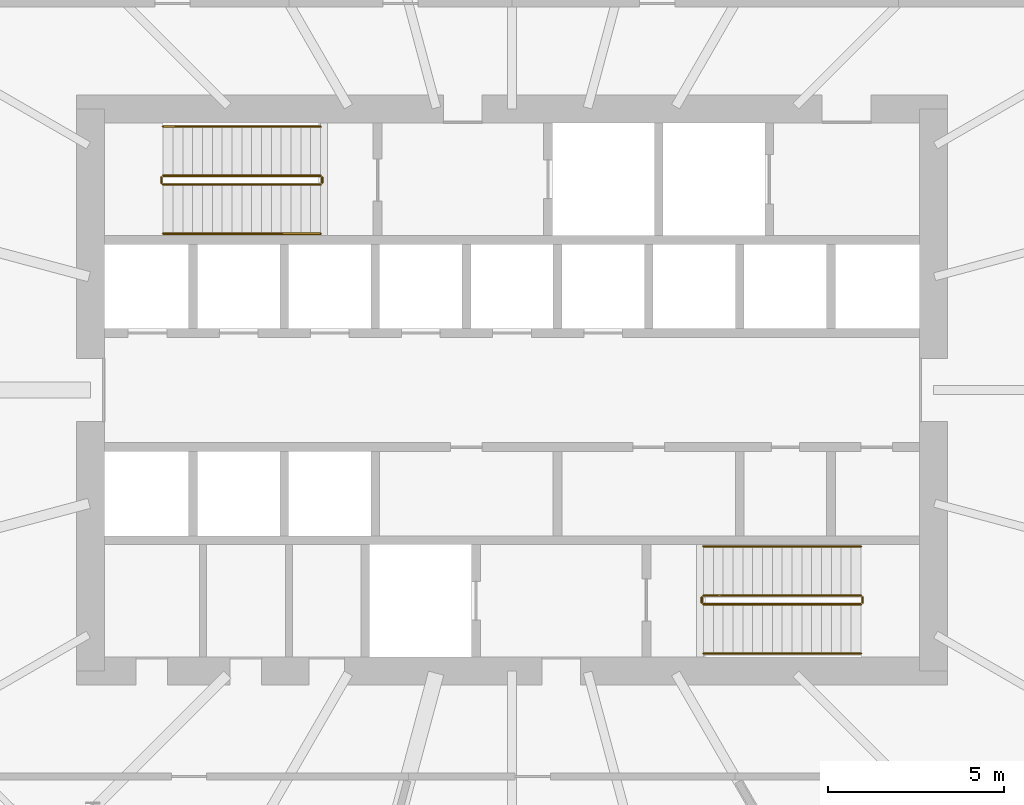
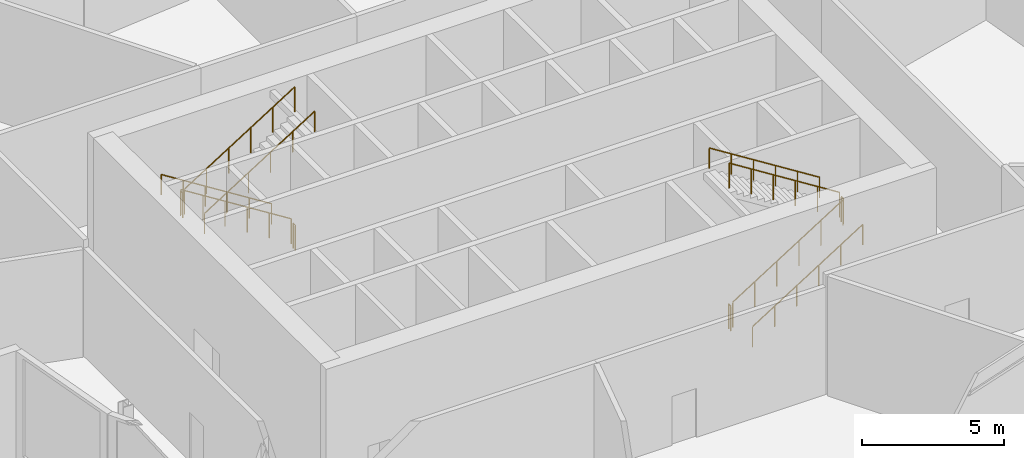
# One storey, part 32 of 33: 12 railings.
"""IFC4 building model written with IfcOpenShell, lengths in metres."""

from ifc_helpers import new_model, si_unit, direction, frame, origin, origin_2d, place, context, subcontext, project, spatial, circle, extrude, material, type_object, element, save


model = new_model("IFC4")

# Units and contexts
model_context = context("Model", 3, precision=1e-05, world=origin(), true_north=direction((0.0, 1.0)))
body_context = subcontext(model_context, "Body", "Model", "MODEL_VIEW")
ifc_project = project(units=[si_unit("LENGTHUNIT", "METRE"), si_unit("AREAUNIT", "SQUARE_METRE"), si_unit("VOLUMEUNIT", "CUBIC_METRE"), si_unit("PLANEANGLEUNIT", "RADIAN"), si_unit("MASSUNIT", "GRAM", prefix="KILO")], contexts=[model_context])

# Site, building, storey
site_placement = place(None, origin())
site = spatial("IfcSite", under=ifc_project, at=site_placement, CompositionType="ELEMENT")
building_placement = place(site_placement, origin())
building = spatial("IfcBuilding", under=site, at=building_placement, Name="Rimbun Link Towers", CompositionType="ELEMENT")
storey_placement = place(building_placement, frame((0.0, 0.0, 75.60009765625)))
storey = spatial("IfcBuildingStorey", under=building, at=storey_placement, Name="L18", CompositionType="ELEMENT", Elevation=75.60009765625)

# Railings
ifc_material_1 = material(Name="Stainless steel grade 316", Category="steel")
railing_type_1 = type_object("IfcRailingType", Name="Stair guard", PredefinedType="GUARDRAIL", material=ifc_material_1)
railing_1_placement = place(storey_placement, frame((-37.199951171875, 6.10009765625, 0.17626953125)))
element("IfcRailing", 1, at=railing_1_placement, inside=storey, type_object=railing_type_1, Name="L18 ST1 stair guard 1", PredefinedType="GUARDRAIL", context=body_context, shape_type="SweptSolid", body=[
    extrude(circle(Radius=0.02392578125, at=origin_2d()), frame((0.0, 0.0, 1.076171875), z_axis=(-0.845977142166, 0.0, 0.533219162196), x_axis=(0.0, -1.0, 0.0)), (0.0, 0.0, 1.0), 5.295654296875),
    extrude(circle(Radius=0.02099609375, at=origin_2d()), origin(), (0.0, 0.0, 1.0), 1.052001953125),
    extrude(circle(Radius=0.02099609375, at=origin_2d()), frame((-0.89599609375, 0.0, 0.564697265625)), (0.0, 0.0, 1.0), 1.052001953125),
    extrude(circle(Radius=0.02099609375, at=origin_2d()), frame((-1.7919921875, 0.0, 1.12939453125)), (0.0, 0.0, 1.0), 1.052001953125),
    extrude(circle(Radius=0.02099609375, at=origin_2d()), frame((-2.68798828125, 0.0, 1.6943359375)), (0.0, 0.0, 1.0), 1.052001953125),
    extrude(circle(Radius=0.02099609375, at=origin_2d()), frame((-3.583984375, 0.0, 2.259033203125)), (0.0, 0.0, 1.0), 1.052001953125),
    extrude(circle(Radius=0.02099609375, at=origin_2d()), frame((-4.47998046875, 0.0, 2.82373046875)), (0.0, 0.0, 1.0), 1.052001953125),
])
railing_2_placement = place(storey_placement, frame((-41.72998046875, 6.050048828125, 3.0)))
element("IfcRailing", 2, at=railing_2_placement, inside=storey, type_object=railing_type_1, Name="L18 ST1 stair guard 2", PredefinedType="GUARDRAIL", context=body_context, shape_type="SweptSolid", body=[
    extrude(circle(Radius=0.02392578125, at=origin_2d()), frame((0.0, 0.0, 1.076171875), z_axis=(0.0, -1.0, 0.0), x_axis=(1.0, 0.0, 0.0)), (0.0, 0.0, 1.0), 0.150146484375),
    extrude(circle(Radius=0.02099609375, at=origin_2d()), origin(), (0.0, 0.0, 1.0), 1.052001953125),
    extrude(circle(Radius=0.02099609375, at=origin_2d()), frame((0.0, -0.150146484375, 0.0)), (0.0, 0.0, 1.0), 1.052001953125),
])
railing_3_placement = place(storey_placement, frame((-41.679931640625, 5.85009765625, 3.17626953125)))
element("IfcRailing", 3, at=railing_3_placement, inside=storey, type_object=railing_type_1, Name="L18 ST1 stair guard 3", PredefinedType="GUARDRAIL", context=body_context, shape_type="SweptSolid", body=[
    extrude(circle(Radius=0.02392578125, at=origin_2d()), frame((0.0, 0.0, 1.076171875), z_axis=(0.845977142166, 0.0, 0.533219162196), x_axis=(0.0, 1.0, 0.0)), (0.0, 0.0, 1.0), 5.295654296875),
    extrude(circle(Radius=0.02099609375, at=origin_2d()), origin(), (0.0, 0.0, 1.0), 1.052001953125),
    extrude(circle(Radius=0.02099609375, at=origin_2d()), frame((0.89599609375, 0.0, 0.564697265625)), (0.0, 0.0, 1.0), 1.052001953125),
    extrude(circle(Radius=0.02099609375, at=origin_2d()), frame((1.7919921875, 0.0, 1.12939453125)), (0.0, 0.0, 1.0), 1.052001953125),
    extrude(circle(Radius=0.02099609375, at=origin_2d()), frame((2.68798828125, 0.0, 1.6943359375)), (0.0, 0.0, 1.0), 1.052001953125),
    extrude(circle(Radius=0.02099609375, at=origin_2d()), frame((3.583984375, 0.0, 2.259033203125)), (0.0, 0.0, 1.0), 1.052001953125),
    extrude(circle(Radius=0.02099609375, at=origin_2d()), frame((4.47998046875, 0.0, 2.82373046875)), (0.0, 0.0, 1.0), 1.052001953125),
])
railing_4_placement = place(storey_placement, frame((-37.14990234375, 6.050048828125, 0.0)))
element("IfcRailing", 4, at=railing_4_placement, inside=storey, type_object=railing_type_1, Name="L18 ST1 stair guard 4", PredefinedType="GUARDRAIL", context=body_context, shape_type="SweptSolid", body=[
    extrude(circle(Radius=0.02392578125, at=origin_2d()), frame((0.0, 0.0, 1.076171875), z_axis=(0.0, -1.0, 0.0), x_axis=(1.0, 0.0, 0.0)), (0.0, 0.0, 1.0), 0.150146484375),
    extrude(circle(Radius=0.02099609375, at=origin_2d()), origin(), (0.0, 0.0, 1.0), 1.052001953125),
    extrude(circle(Radius=0.02099609375, at=origin_2d()), frame((0.0, -0.150146484375, 0.0)), (0.0, 0.0, 1.0), 1.052001953125),
])
railing_5_placement = place(storey_placement, frame((-26.300048828125, -6.10009765625, 0.17626953125)))
element("IfcRailing", 5, at=railing_5_placement, inside=storey, type_object=railing_type_1, Name="L18 ST2 stair guard 1", PredefinedType="GUARDRAIL", context=body_context, shape_type="SweptSolid", body=[
    extrude(circle(Radius=0.02392578125, at=origin_2d()), frame((0.0, 0.0, 1.076171875), z_axis=(0.845977142166, 0.0, 0.533219162196), x_axis=(0.0, 1.0, 0.0)), (0.0, 0.0, 1.0), 5.295654296875),
    extrude(circle(Radius=0.02099609375, at=origin_2d()), origin(), (0.0, 0.0, 1.0), 1.052001953125),
    extrude(circle(Radius=0.02099609375, at=origin_2d()), frame((0.89599609375, 0.0, 0.564697265625)), (0.0, 0.0, 1.0), 1.052001953125),
    extrude(circle(Radius=0.02099609375, at=origin_2d()), frame((1.7919921875, 0.0, 1.12939453125)), (0.0, 0.0, 1.0), 1.052001953125),
    extrude(circle(Radius=0.02099609375, at=origin_2d()), frame((2.68798828125, 0.0, 1.6943359375)), (0.0, 0.0, 1.0), 1.052001953125),
    extrude(circle(Radius=0.02099609375, at=origin_2d()), frame((3.583984375, 0.0, 2.259033203125)), (0.0, 0.0, 1.0), 1.052001953125),
    extrude(circle(Radius=0.02099609375, at=origin_2d()), frame((4.47998046875, 0.0, 2.82373046875)), (0.0, 0.0, 1.0), 1.052001953125),
])
railing_6_placement = place(storey_placement, frame((-21.77001953125, -6.050048828125, 3.0)))
element("IfcRailing", 6, at=railing_6_placement, inside=storey, type_object=railing_type_1, Name="L18 ST2 stair guard 2", PredefinedType="GUARDRAIL", context=body_context, shape_type="SweptSolid", body=[
    extrude(circle(Radius=0.02392578125, at=origin_2d()), frame((0.0, 0.0, 1.076171875), z_axis=(0.0, 1.0, 0.0), x_axis=(-1.0, 0.0, 0.0)), (0.0, 0.0, 1.0), 0.150146484375),
    extrude(circle(Radius=0.02099609375, at=origin_2d()), origin(), (0.0, 0.0, 1.0), 1.052001953125),
    extrude(circle(Radius=0.02099609375, at=origin_2d()), frame((0.0, 0.150146484375, 0.0)), (0.0, 0.0, 1.0), 1.052001953125),
])
railing_7_placement = place(storey_placement, frame((-21.820068359375, -5.85009765625, 3.17626953125)))
element("IfcRailing", 7, at=railing_7_placement, inside=storey, type_object=railing_type_1, Name="L18 ST2 stair guard 3", PredefinedType="GUARDRAIL", context=body_context, shape_type="SweptSolid", body=[
    extrude(circle(Radius=0.02392578125, at=origin_2d()), frame((0.0, 0.0, 1.076171875), z_axis=(-0.845977142166, 0.0, 0.533219162196), x_axis=(0.0, -1.0, 0.0)), (0.0, 0.0, 1.0), 5.295654296875),
    extrude(circle(Radius=0.02099609375, at=origin_2d()), origin(), (0.0, 0.0, 1.0), 1.052001953125),
    extrude(circle(Radius=0.02099609375, at=origin_2d()), frame((-0.89599609375, 0.0, 0.564697265625)), (0.0, 0.0, 1.0), 1.052001953125),
    extrude(circle(Radius=0.02099609375, at=origin_2d()), frame((-1.7919921875, 0.0, 1.12939453125)), (0.0, 0.0, 1.0), 1.052001953125),
    extrude(circle(Radius=0.02099609375, at=origin_2d()), frame((-2.68798828125, 0.0, 1.6943359375)), (0.0, 0.0, 1.0), 1.052001953125),
    extrude(circle(Radius=0.02099609375, at=origin_2d()), frame((-3.583984375, 0.0, 2.259033203125)), (0.0, 0.0, 1.0), 1.052001953125),
    extrude(circle(Radius=0.02099609375, at=origin_2d()), frame((-4.47998046875, 0.0, 2.82373046875)), (0.0, 0.0, 1.0), 1.052001953125),
])
railing_8_placement = place(storey_placement, frame((-26.35009765625, -6.050048828125, 0.0)))
element("IfcRailing", 8, at=railing_8_placement, inside=storey, type_object=railing_type_1, Name="L18 ST2 stair guard 4", PredefinedType="GUARDRAIL", context=body_context, shape_type="SweptSolid", body=[
    extrude(circle(Radius=0.02392578125, at=origin_2d()), frame((0.0, 0.0, 1.076171875), z_axis=(0.0, 1.0, 0.0), x_axis=(-1.0, 0.0, 0.0)), (0.0, 0.0, 1.0), 0.150146484375),
    extrude(circle(Radius=0.02099609375, at=origin_2d()), origin(), (0.0, 0.0, 1.0), 1.052001953125),
    extrude(circle(Radius=0.02099609375, at=origin_2d()), frame((0.0, 0.150146484375, 0.0)), (0.0, 0.0, 1.0), 1.052001953125),
])
ifc_material_2 = material(Name="Stainless steel grade 316", Category="steel")
railing_type_2 = type_object("IfcRailingType", Name="Stair handrail", PredefinedType="HANDRAIL", material=ifc_material_2)
railing_9_placement = place(storey_placement, frame((-37.199951171875, 7.5, 0.17626953125)))
element("IfcRailing", 9, at=railing_9_placement, inside=storey, type_object=railing_type_2, Name="L18 ST1 stair handrail 1", PredefinedType="HANDRAIL", context=body_context, shape_type="SweptSolid", body=[
    extrude(circle(Radius=0.02392578125, at=origin_2d()), frame((0.0, 0.0, 0.8759765625), z_axis=(-0.845977142166, 0.0, 0.533219162196), x_axis=(0.0, -1.0, 0.0)), (0.0, 0.0, 1.0), 5.295654296875),
    extrude(circle(Radius=0.02099609375, at=origin_2d()), origin(), (0.0, 0.0, 1.0), 0.851806640625),
    extrude(circle(Radius=0.02099609375, at=origin_2d()), frame((-0.89599609375, 0.0, 0.564697265625)), (0.0, 0.0, 1.0), 0.851806640625),
    extrude(circle(Radius=0.02099609375, at=origin_2d()), frame((-1.7919921875, 0.0, 1.12939453125)), (0.0, 0.0, 1.0), 0.851806640625),
    extrude(circle(Radius=0.02099609375, at=origin_2d()), frame((-2.68798828125, 0.0, 1.6943359375)), (0.0, 0.0, 1.0), 0.851806640625),
    extrude(circle(Radius=0.02099609375, at=origin_2d()), frame((-3.583984375, 0.0, 2.259033203125)), (0.0, 0.0, 1.0), 0.851806640625),
    extrude(circle(Radius=0.02099609375, at=origin_2d()), frame((-4.47998046875, 0.0, 2.82373046875)), (0.0, 0.0, 1.0), 0.851806640625),
])
for number, where, name in (
    (10, (-41.679931640625, 4.449951171875, 3.17626953125), "L18 ST1 stair handrail 2"),
    (11, (-26.300048828125, -7.5, 0.17626953125), "L18 ST2 stair handrail 1"),
):
    element("IfcRailing", number, at=place(storey_placement, frame(where)), inside=storey, type_object=railing_type_2, Name=name, PredefinedType="HANDRAIL", context=body_context, shape_type="SweptSolid", body=[
        extrude(circle(Radius=0.02392578125, at=origin_2d()), frame((0.0, 0.0, 0.8759765625), z_axis=(0.845977142166, 0.0, 0.533219162196), x_axis=(0.0, 1.0, 0.0)), (0.0, 0.0, 1.0), 5.295654296875),
        extrude(circle(Radius=0.02099609375, at=origin_2d()), origin(), (0.0, 0.0, 1.0), 0.851806640625),
        extrude(circle(Radius=0.02099609375, at=origin_2d()), frame((0.89599609375, 0.0, 0.564697265625)), (0.0, 0.0, 1.0), 0.851806640625),
        extrude(circle(Radius=0.02099609375, at=origin_2d()), frame((1.7919921875, 0.0, 1.12939453125)), (0.0, 0.0, 1.0), 0.851806640625),
        extrude(circle(Radius=0.02099609375, at=origin_2d()), frame((2.68798828125, 0.0, 1.6943359375)), (0.0, 0.0, 1.0), 0.851806640625),
        extrude(circle(Radius=0.02099609375, at=origin_2d()), frame((3.583984375, 0.0, 2.259033203125)), (0.0, 0.0, 1.0), 0.851806640625),
        extrude(circle(Radius=0.02099609375, at=origin_2d()), frame((4.47998046875, 0.0, 2.82373046875)), (0.0, 0.0, 1.0), 0.851806640625),
    ])
railing_10_placement = place(storey_placement, frame((-21.820068359375, -4.449951171875, 3.17626953125)))
element("IfcRailing", 12, at=railing_10_placement, inside=storey, type_object=railing_type_2, Name="L18 ST2 stair handrail 2", PredefinedType="HANDRAIL", context=body_context, shape_type="SweptSolid", body=[
    extrude(circle(Radius=0.02392578125, at=origin_2d()), frame((0.0, 0.0, 0.8759765625), z_axis=(-0.845977142166, 0.0, 0.533219162196), x_axis=(0.0, -1.0, 0.0)), (0.0, 0.0, 1.0), 5.295654296875),
    extrude(circle(Radius=0.02099609375, at=origin_2d()), origin(), (0.0, 0.0, 1.0), 0.851806640625),
    extrude(circle(Radius=0.02099609375, at=origin_2d()), frame((-0.89599609375, 0.0, 0.564697265625)), (0.0, 0.0, 1.0), 0.851806640625),
    extrude(circle(Radius=0.02099609375, at=origin_2d()), frame((-1.7919921875, 0.0, 1.12939453125)), (0.0, 0.0, 1.0), 0.851806640625),
    extrude(circle(Radius=0.02099609375, at=origin_2d()), frame((-2.68798828125, 0.0, 1.6943359375)), (0.0, 0.0, 1.0), 0.851806640625),
    extrude(circle(Radius=0.02099609375, at=origin_2d()), frame((-3.583984375, 0.0, 2.259033203125)), (0.0, 0.0, 1.0), 0.851806640625),
    extrude(circle(Radius=0.02099609375, at=origin_2d()), frame((-4.47998046875, 0.0, 2.82373046875)), (0.0, 0.0, 1.0), 0.851806640625),
])

save(model, "model.ifc")
